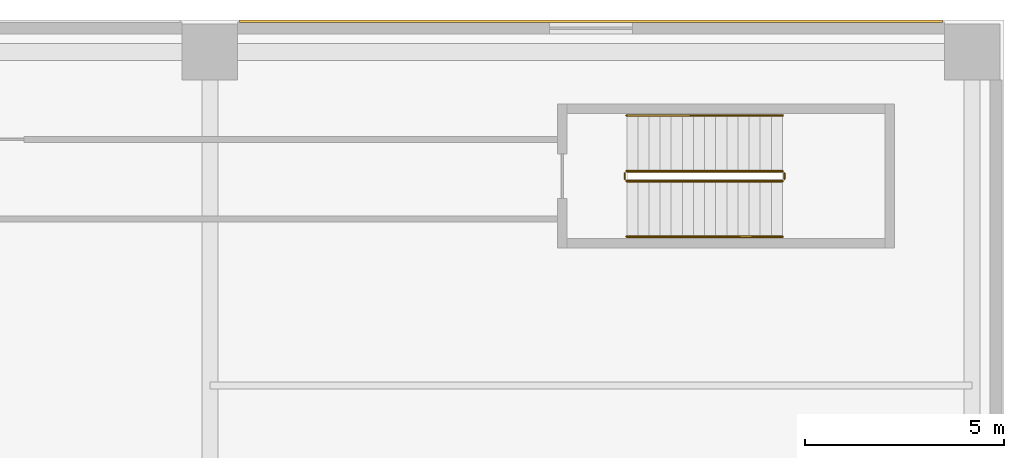
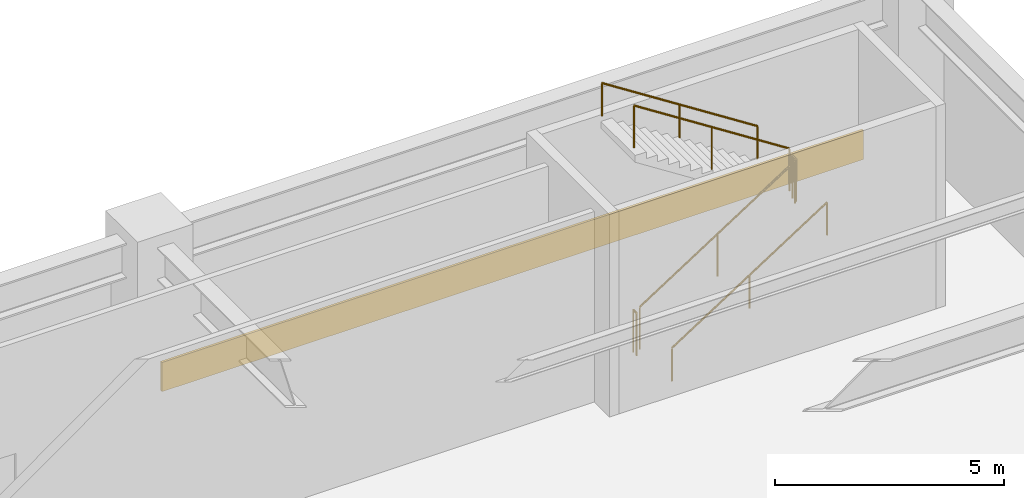
# One storey, part 28 of 28: 6 railings, 1 covering.
"""IFC4 building model written with IfcOpenShell, lengths in metres."""

from ifc_helpers import new_model, si_unit, direction, frame, origin, origin_2d, place, context, subcontext, project, spatial, rectangle, circle, extrude, material, layer, layer_set, type_object, element, save


model = new_model("IFC4")

# Units and contexts
model_context = context("Model", 3, precision=1e-05, world=origin(), true_north=direction((0.0, 1.0)))
body_context = subcontext(model_context, "Body", "Model", "MODEL_VIEW")
ifc_project = project(units=[si_unit("LENGTHUNIT", "METRE"), si_unit("AREAUNIT", "SQUARE_METRE"), si_unit("VOLUMEUNIT", "CUBIC_METRE"), si_unit("PLANEANGLEUNIT", "RADIAN"), si_unit("MASSUNIT", "GRAM", prefix="KILO")], contexts=[model_context])

# Site, building, storey
site_placement = place(None, origin())
site = spatial("IfcSite", under=ifc_project, at=site_placement, CompositionType="ELEMENT")
building_placement = place(site_placement, origin())
building = spatial("IfcBuilding", under=site, at=building_placement, Name="Soratama Intermodal Tower", CompositionType="ELEMENT")
storey_placement = place(building_placement, frame((0.0, 0.0, 6.0)))
storey = spatial("IfcBuildingStorey", under=building, at=storey_placement, Name="L01", CompositionType="ELEMENT", Elevation=6.0)

# Covering
ifc_material_1 = material(Name="Honed Andean limestone cladding", Category="masonry")
ifc_layer = layer(ifc_material_1, 0.06005859375)
ifc_layer_set = layer_set([ifc_layer], Name="Honed Andean limestone cladding")
covering_type = type_object("IfcCoveringType", Name="CV-STONE-CLAD", PredefinedType="CLADDING", material=ifc_layer_set)
covering_placement = place(storey_placement, frame((73.60009765625, 47.97607421875, 0.02978515625), z_axis=(0.0, 0.0, 1.0), x_axis=(1.0, 0.0, 0.0)))
element("IfcCovering", 1, at=covering_placement, inside=storey, type_object=covering_type, Name="L01 N Cladding B5", PredefinedType="CLADDING", context=body_context, shape_type="SweptSolid", body=[
    extrude(rectangle(XDim=17.699951171875, YDim=0.06005859375, at=origin_2d()), origin(), (0.0, 0.0, 1.0), 0.780029296875),
])

# Railings
ifc_material_2 = material(Name="Painted steel stair guardrail", Category="steel")
railing_type_1 = type_object("IfcRailingType", Name="RL-STAIR-GUARD", PredefinedType="GUARDRAIL", material=ifc_material_2)
railing_1_placement = place(storey_placement, frame((74.5, 43.949951171875, 0.179931640625)))
element("IfcRailing", 2, at=railing_1_placement, inside=storey, type_object=railing_type_1, Name="L01 ST-4 stair guard 1", PredefinedType="GUARDRAIL", context=body_context, shape_type="SweptSolid", body=[
    extrude(circle(Radius=0.02392578125, at=origin_2d()), frame((0.0, 0.0, 1.1259765625), z_axis=(0.841171666519, 0.0, 0.540768182723), x_axis=(0.0, 1.0, 0.0)), (0.0, 0.0, 1.0), 4.66015625),
    extrude(circle(Radius=0.02099609375, at=origin_2d()), origin(), (0.0, 0.0, 1.0), 1.101806640625),
    extrude(circle(Radius=0.02099609375, at=origin_2d()), frame((1.9599609375, 0.0, 1.260009765625)), (0.0, 0.0, 1.0), 1.101806640625),
    extrude(circle(Radius=0.02099609375, at=origin_2d()), frame((3.919921875, 0.0, 2.52001953125)), (0.0, 0.0, 1.0), 1.101806640625),
])
railing_2_placement = place(storey_placement, frame((78.469970703125, 44.0, 2.699951171875)))
element("IfcRailing", 3, at=railing_2_placement, inside=storey, type_object=railing_type_1, Name="L01 ST-4 stair guard 2", PredefinedType="GUARDRAIL", context=body_context, shape_type="SweptSolid", body=[
    extrude(circle(Radius=0.02392578125, at=origin_2d()), frame((0.0, 0.0, 1.1259765625), z_axis=(0.0, 1.0, 0.0), x_axis=(-1.0, 0.0, 0.0)), (0.0, 0.0, 1.0), 0.14990234375),
    extrude(circle(Radius=0.02099609375, at=origin_2d()), origin(), (0.0, 0.0, 1.0), 1.101806640625),
    extrude(circle(Radius=0.02099609375, at=origin_2d()), frame((0.0, 0.14990234375, 0.0)), (0.0, 0.0, 1.0), 1.101806640625),
])
railing_3_placement = place(storey_placement, frame((78.419921875, 44.199951171875, 2.8798828125)))
element("IfcRailing", 4, at=railing_3_placement, inside=storey, type_object=railing_type_1, Name="L01 ST-4 stair guard 3", PredefinedType="GUARDRAIL", context=body_context, shape_type="SweptSolid", body=[
    extrude(circle(Radius=0.02392578125, at=origin_2d()), frame((0.0, 0.0, 1.1259765625), z_axis=(-0.841171666519, 0.0, 0.540768182723), x_axis=(0.0, -1.0, 0.0)), (0.0, 0.0, 1.0), 4.66015625),
    extrude(circle(Radius=0.02099609375, at=origin_2d()), origin(), (0.0, 0.0, 1.0), 1.101806640625),
    extrude(circle(Radius=0.02099609375, at=origin_2d()), frame((-1.9599609375, 0.0, 1.260009765625)), (0.0, 0.0, 1.0), 1.101806640625),
    extrude(circle(Radius=0.02099609375, at=origin_2d()), frame((-3.919921875, 0.0, 2.52001953125)), (0.0, 0.0, 1.0), 1.101806640625),
])
railing_4_placement = place(storey_placement, frame((74.449951171875, 44.0, 0.0)))
element("IfcRailing", 5, at=railing_4_placement, inside=storey, type_object=railing_type_1, Name="L01 ST-4 stair guard 4", PredefinedType="GUARDRAIL", context=body_context, shape_type="SweptSolid", body=[
    extrude(circle(Radius=0.02392578125, at=origin_2d()), frame((0.0, 0.0, 1.1259765625), z_axis=(0.0, 1.0, 0.0), x_axis=(-1.0, 0.0, 0.0)), (0.0, 0.0, 1.0), 0.14990234375),
    extrude(circle(Radius=0.02099609375, at=origin_2d()), origin(), (0.0, 0.0, 1.0), 1.101806640625),
    extrude(circle(Radius=0.02099609375, at=origin_2d()), frame((0.0, 0.14990234375, 0.0)), (0.0, 0.0, 1.0), 1.101806640625),
])
ifc_material_3 = material(Name="Brushed stainless steel handrail", Category="steel")
railing_type_2 = type_object("IfcRailingType", Name="RL-STAIR-HAND", PredefinedType="HANDRAIL", material=ifc_material_3)
railing_5_placement = place(storey_placement, frame((74.5, 42.550048828125, 0.179931640625)))
element("IfcRailing", 6, at=railing_5_placement, inside=storey, type_object=railing_type_2, Name="L01 ST-4 stair handrail 1", PredefinedType="HANDRAIL", context=body_context, shape_type="SweptSolid", body=[
    extrude(circle(Radius=0.02392578125, at=origin_2d()), frame((0.0, 0.0, 0.8759765625), z_axis=(0.841171666519, 0.0, 0.540768182723), x_axis=(0.0, 1.0, 0.0)), (0.0, 0.0, 1.0), 4.66015625),
    extrude(circle(Radius=0.02099609375, at=origin_2d()), origin(), (0.0, 0.0, 1.0), 0.851806640625),
    extrude(circle(Radius=0.02099609375, at=origin_2d()), frame((1.9599609375, 0.0, 1.260009765625)), (0.0, 0.0, 1.0), 0.851806640625),
    extrude(circle(Radius=0.02099609375, at=origin_2d()), frame((3.919921875, 0.0, 2.52001953125)), (0.0, 0.0, 1.0), 0.851806640625),
])
railing_6_placement = place(storey_placement, frame((78.419921875, 45.60009765625, 2.8798828125)))
element("IfcRailing", 7, at=railing_6_placement, inside=storey, type_object=railing_type_2, Name="L01 ST-4 stair handrail 2", PredefinedType="HANDRAIL", context=body_context, shape_type="SweptSolid", body=[
    extrude(circle(Radius=0.02392578125, at=origin_2d()), frame((0.0, 0.0, 0.8759765625), z_axis=(-0.841171666519, 0.0, 0.540768182723), x_axis=(0.0, -1.0, 0.0)), (0.0, 0.0, 1.0), 4.66015625),
    extrude(circle(Radius=0.02099609375, at=origin_2d()), origin(), (0.0, 0.0, 1.0), 0.851806640625),
    extrude(circle(Radius=0.02099609375, at=origin_2d()), frame((-1.9599609375, 0.0, 1.260009765625)), (0.0, 0.0, 1.0), 0.851806640625),
    extrude(circle(Radius=0.02099609375, at=origin_2d()), frame((-3.919921875, 0.0, 2.52001953125)), (0.0, 0.0, 1.0), 0.851806640625),
])

save(model, "model.ifc")
